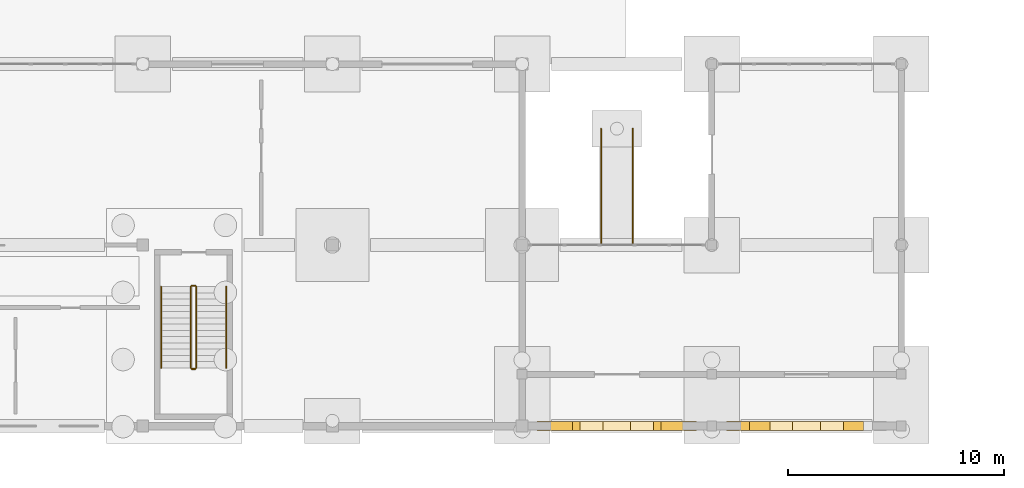
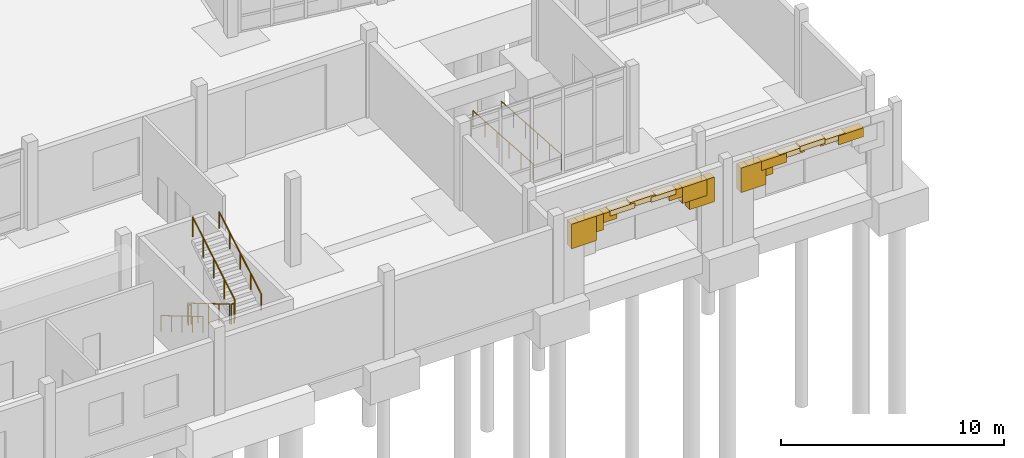
# One storey, part 61 of 72: 16 coverings, 8 railings.
"""IFC4 building model written with IfcOpenShell, lengths in metres."""

import ifcopenshell
import ifcopenshell.guid

model = None  # the IFC model being written
_history = None  # IfcOwnerHistory: only IFC2X3 demands one
_inside = {}  # id of a spatial element -> (the spatial element, [elements in it])
_under = {}  # id of a project, library or spatial element -> (it, [spatial elements below it])
_declared = {}  # id of a project -> (the project, [libraries it declares])
_typed = {}  # id of a type object -> (the type object, [elements of that type])
_made_of = {}  # id of a material, layer set ... -> (it, [elements and type objects made of it])


def new_model(schema):
    """Start an empty IFC model of exactly this schema.

    Asked for "IFC4X3", IfcOpenShell would pick the latest addendum, in which some entities
    have other attributes; the version numbers below select the first issue.
    IFC2X3 requires an IfcOwnerHistory on every rooted entity: one is made here for all.
    """
    global model, _history
    if schema == "IFC4X3":
        model = ifcopenshell.file(schema_version=(4, 3, 0, 0))
    else:
        model = ifcopenshell.file(schema=schema)
    _inside.clear()
    _under.clear()
    _declared.clear()
    _typed.clear()
    _made_of.clear()
    _history = None
    if model.schema == "IFC2X3":
        org = make("IfcOrganization", Name="unknown")
        user = make(
            "IfcPersonAndOrganization",
            ThePerson=make("IfcPerson", FamilyName="unknown"),
            TheOrganization=org,
        )
        app = make(
            "IfcApplication",
            ApplicationDeveloper=org,
            Version="unknown",
            ApplicationFullName="unknown",
            ApplicationIdentifier="unknown",
        )
        _history = make(
            "IfcOwnerHistory",
            OwningUser=user,
            OwningApplication=app,
            ChangeAction="ADDED",
            CreationDate=0,
        )
    return model


def make(cls, **values):
    """One entity of the class cls with the attributes given. An attribute that is None is left unset."""
    return model.create_entity(
        cls, **{name: value for name, value in values.items() if value is not None}
    )


def rooted(cls, **values):
    """An entity with a GlobalId (a new one), such as an element, a storey or a relation."""
    return make(cls, GlobalId=ifcopenshell.guid.new(), OwnerHistory=_history, **values)


def si_unit(unit_type, name, prefix=None):
    """IfcSIUnit, for example si_unit("LENGTHUNIT", "METRE", prefix="MILLI")."""
    return make("IfcSIUnit", UnitType=unit_type, Prefix=prefix, Name=name)


def assignment(units):
    """IfcUnitAssignment: the units of a project."""
    return None if units is None else make("IfcUnitAssignment", Units=units)


def point(xyz):
    """IfcCartesianPoint."""
    return None if xyz is None else make("IfcCartesianPoint", Coordinates=xyz)


def direction(xyz):
    """IfcDirection."""
    return None if xyz is None else make("IfcDirection", DirectionRatios=xyz)


def frame(location, z_axis=None, x_axis=None):
    """IfcAxis2Placement3D, a coordinate frame: its origin and axes. An axis left out is left unset."""
    return make(
        "IfcAxis2Placement3D",
        Location=point(location),
        Axis=direction(z_axis),
        RefDirection=direction(x_axis),
    )


def frame_2d(location, x_axis=None):
    """IfcAxis2Placement2D, a coordinate frame in the plane: its origin and x axis."""
    return make(
        "IfcAxis2Placement2D", Location=point(location), RefDirection=direction(x_axis)
    )


def origin():
    """The frame at (0, 0, 0) with its axes left unset."""
    return frame((0.0, 0.0, 0.0))


def origin_2d():
    """The frame at (0, 0) in the plane with its x axis left unset."""
    return frame_2d((0.0, 0.0))


def place(relative_to, where):
    """IfcLocalPlacement: puts the frame where relative to a parent placement (None: the world)."""
    return make(
        "IfcLocalPlacement", PlacementRelTo=relative_to, RelativePlacement=where
    )


def context(
    kind, dimensions, precision=None, world=None, true_north=None, identifier=None
):
    """IfcGeometricRepresentationContext, for example the 3D "Model" context."""
    return make(
        "IfcGeometricRepresentationContext",
        ContextIdentifier=identifier,
        ContextType=kind,
        CoordinateSpaceDimension=dimensions,
        Precision=precision,
        WorldCoordinateSystem=world,
        TrueNorth=true_north,
    )


def subcontext(parent, identifier, kind, view, scale=None):
    """IfcGeometricRepresentationSubContext, for example "Body" below "Model"."""
    return make(
        "IfcGeometricRepresentationSubContext",
        ContextIdentifier=identifier,
        ContextType=kind,
        ParentContext=parent,
        TargetScale=scale,
        TargetView=view,
    )


def project(units=None, contexts=None):
    """IfcProject with its units and contexts."""
    return rooted(
        "IfcProject",
        Name="project",
        RepresentationContexts=contexts,
        UnitsInContext=assignment(units),
    )


def spatial(cls, under=None, at=None, **own):
    """A site, building, storey or space (cls), placed at a placement, below another one or the project."""
    s = rooted(cls, ObjectPlacement=at, **own)
    if under is not None:
        _under.setdefault(under.id(), (under, []))[1].append(s)
    return s


def profile(cls, at=None, kind="AREA", **sizes):
    """A parametric profile (cls). Its sizes go by their IFC names, for example OverallWidth=200.0."""
    return make(cls, ProfileType=kind, Position=at, **sizes)


def rectangle(**sizes):
    """IfcRectangleProfileDef."""
    return profile("IfcRectangleProfileDef", **sizes)


def circle(**sizes):
    """IfcCircleProfileDef."""
    return profile("IfcCircleProfileDef", **sizes)


def extrude(swept, where, along, depth):
    """IfcExtrudedAreaSolid: the profile swept, set in the frame where, extruded along a direction by depth."""
    return make(
        "IfcExtrudedAreaSolid",
        SweptArea=swept,
        Position=where,
        ExtrudedDirection=direction(along),
        Depth=depth,
    )


def shape(context_of_items, identifier, shape_type, items):
    """IfcShapeRepresentation: the items that make up one representation, for example the "Body"."""
    return make(
        "IfcShapeRepresentation",
        ContextOfItems=context_of_items,
        RepresentationIdentifier=identifier,
        RepresentationType=shape_type,
        Items=items,
    )


def material(Name=None, Category=None):
    """IfcMaterial."""
    return make("IfcMaterial", Name=Name, Category=Category)


def layer(
    of_material, thickness, ventilated=None, Name=None, Category=None, Priority=None
):
    """IfcMaterialLayer: one layer of a wall or slab, of a material (None: an air gap)."""
    return make(
        "IfcMaterialLayer",
        Material=of_material,
        LayerThickness=thickness,
        IsVentilated=ventilated,
        Name=Name,
        Category=Category,
        Priority=Priority,
    )


def layer_set(layers, Name=None):
    """IfcMaterialLayerSet."""
    return make("IfcMaterialLayerSet", MaterialLayers=layers, LayerSetName=Name)


def made_of(thing, what):
    """Note that an element or type object is made of a material, layer set ...; save() writes the relation."""
    if what is not None:
        _made_of.setdefault(what.id(), (what, []))[1].append(thing)
    return thing


def type_object(cls, material=None, **own):
    """A type object (cls), such as IfcWallType, which elements share."""
    return made_of(rooted(cls, **own), material)


def element(
    cls,
    number,
    at=None,
    inside=None,
    cuts=None,
    type_object=None,
    material=None,
    context=None,
    identifier="Body",
    shape_type=None,
    held_by="IfcProductDefinitionShape",
    body=None,
    shapes=None,
    **own,
):
    """One element of the class cls, such as IfcWall. Its Tag is "e" and its number.

    at: its placement. inside: the storey or other place that contains it. cuts: it is an
    opening in that element (IfcRelVoidsElement). A single representation is given by context,
    identifier, shape_type and body (its items); several are given by shapes. held_by: the class
    of the entity that holds the representations. save() writes the other relations.
    """
    e = rooted(cls, Tag="e%d" % number, ObjectPlacement=at, **own)
    if body is not None:
        shapes = [shape(context, identifier, shape_type, body)]
    if shapes is not None:
        e.Representation = make(held_by, Representations=shapes)
    if inside is not None:
        _inside.setdefault(inside.id(), (inside, []))[1].append(e)
    if cuts is not None:
        rooted(
            "IfcRelVoidsElement", RelatingBuildingElement=cuts, RelatedOpeningElement=e
        )
    if type_object is not None:
        _typed.setdefault(type_object.id(), (type_object, []))[1].append(e)
    return made_of(e, material)


def aggregate(whole, parts):
    """IfcRelAggregates: a whole, such as a stair, and the parts it consists of."""
    return rooted("IfcRelAggregates", RelatingObject=whole, RelatedObjects=parts)


def save(model, path):
    """Write the relations noted so far, then the file.

    IfcRelAggregates (storeys below a building ...), IfcRelContainedInSpatialStructure (elements
    in a storey), IfcRelDefinesByType, IfcRelAssociatesMaterial and IfcRelDeclares: one each for
    every whole, place, type object, material and project.
    """
    for whole, parts in _under.values():
        aggregate(whole, parts)
    for where, things in _inside.values():
        rooted(
            "IfcRelContainedInSpatialStructure",
            RelatedElements=things,
            RelatingStructure=where,
        )
    for kind, things in _typed.values():
        rooted("IfcRelDefinesByType", RelatedObjects=things, RelatingType=kind)
    for what, things in _made_of.values():
        rooted("IfcRelAssociatesMaterial", RelatedObjects=things, RelatingMaterial=what)
    for by, libraries in _declared.values():
        rooted("IfcRelDeclares", RelatingContext=by, RelatedDefinitions=libraries)
    model.write(path)


model = new_model("IFC4")

# Units and contexts
model_context = context("Model", 3, precision=1e-05, world=origin(), true_north=direction((0.0, 1.0)))
body_context = subcontext(model_context, "Body", "Model", "MODEL_VIEW")
ifc_project = project(units=[si_unit("LENGTHUNIT", "METRE"), si_unit("AREAUNIT", "SQUARE_METRE"), si_unit("VOLUMEUNIT", "CUBIC_METRE"), si_unit("PLANEANGLEUNIT", "RADIAN"), si_unit("MASSUNIT", "GRAM", prefix="KILO")], contexts=[model_context])

# Site, building, storey
site_placement = place(None, origin())
site = spatial("IfcSite", under=ifc_project, at=site_placement, CompositionType="ELEMENT")
building_placement = place(site_placement, origin())
building = spatial("IfcBuilding", under=site, at=building_placement, Name="Cinderway Yard Community Centre", CompositionType="ELEMENT")
storey_placement = place(building_placement, origin())
storey = spatial("IfcBuildingStorey", under=building, at=storey_placement, Name="L00", CompositionType="ELEMENT", Elevation=0.0)

# Coverings
ifc_material_1 = material(Name="Brick Masonry", Category="masonry")
ifc_layer = layer(ifc_material_1, 0.18994140625, Name="Brick Masonry")
ifc_layer_set = layer_set([ifc_layer], Name="Brick Masonry")
covering_type = type_object("IfcCoveringType", Name="ENV-COV-BRK-SCREEN", PredefinedType="CLADDING", material=ifc_layer_set)
covering_1_placement = place(storey_placement, frame((120.537109375, 6.0, 2.64794921875), z_axis=(0.0, 0.0, 1.0), x_axis=(1.0, 0.0, 0.0)))
element("IfcCovering", 1, at=covering_1_placement, inside=storey, type_object=covering_type, Name="East Storm Arcade West Niche Arch Voussoir 2.1", PredefinedType="CLADDING", context=body_context, shape_type="SweptSolid", body=[
    extrude(rectangle(XDim=1.281005859375, YDim=0.419921875, at=origin_2d()), origin(), (0.0, 0.0, 1.0), 1.342041015625),
])
covering_2_placement = place(storey_placement, frame((120.906982421875, 6.0, 3.115478515625), z_axis=(0.0, 0.0, 1.0), x_axis=(1.0, 0.0, 0.0)))
element("IfcCovering", 2, at=covering_2_placement, inside=storey, type_object=covering_type, Name="East Storm Arcade West Niche Arch Voussoir 2.2", PredefinedType="CLADDING", context=body_context, shape_type="SweptSolid", body=[
    extrude(rectangle(XDim=1.281005859375, YDim=0.419921875, at=origin_2d()), origin(), (0.0, 0.0, 1.0), 0.875),
])
covering_3_placement = place(storey_placement, frame((121.60107421875, 6.0, 3.495361328125), z_axis=(0.0, 0.0, 1.0), x_axis=(1.0, 0.0, 0.0)))
element("IfcCovering", 3, at=covering_3_placement, inside=storey, type_object=covering_type, Name="East Storm Arcade West Niche Arch Voussoir 2.3", PredefinedType="CLADDING", context=body_context, shape_type="SweptSolid", body=[
    extrude(rectangle(XDim=1.281005859375, YDim=0.419921875, at=origin_2d()), origin(), (0.0, 0.0, 1.0), 0.4951171875),
])
for number, where, z_axis, x_axis, name in (
    (4, (122.535888671875, 6.0, 3.744140625), (0.0, 0.0, 1.0), (1.0, 0.0, 0.0), "East Storm Arcade West Niche Arch Voussoir 2.4"),
    (5, (123.60009765625, 6.0, 3.830078125), (0.0, 0.0, 1.0), (1.0, 0.0, 0.0), "East Storm Arcade West Niche Arch Voussoir 2.5"),
    (6, (124.6640625, 6.0, 3.744140625), (0.0, 0.0, 1.0), (1.0, 0.0, 0.0), "East Storm Arcade West Niche Arch Voussoir 2.6"),
):
    element("IfcCovering", number, at=place(storey_placement, frame(where, z_axis=z_axis, x_axis=x_axis)), inside=storey, type_object=covering_type, Name=name, PredefinedType="CLADDING", context=body_context, shape_type="SweptSolid", body=[
        extrude(rectangle(XDim=1.281005859375, YDim=0.419921875, at=origin_2d()), origin(), (0.0, 0.0, 1.0), 0.280029296875),
    ])
covering_4_placement = place(storey_placement, frame((125.59912109375, 6.0, 3.495361328125), z_axis=(0.0, 0.0, 1.0), x_axis=(1.0, 0.0, 0.0)))
element("IfcCovering", 7, at=covering_4_placement, inside=storey, type_object=covering_type, Name="East Storm Arcade West Niche Arch Voussoir 2.7", PredefinedType="CLADDING", context=body_context, shape_type="SweptSolid", body=[
    extrude(rectangle(XDim=1.281005859375, YDim=0.419921875, at=origin_2d()), origin(), (0.0, 0.0, 1.0), 0.4951171875),
])
covering_5_placement = place(storey_placement, frame((126.29296875, 6.0, 3.115478515625), z_axis=(0.0, 0.0, 1.0), x_axis=(1.0, 0.0, 0.0)))
element("IfcCovering", 8, at=covering_5_placement, inside=storey, type_object=covering_type, Name="East Storm Arcade West Niche Arch Voussoir 2.8", PredefinedType="CLADDING", context=body_context, shape_type="SweptSolid", body=[
    extrude(rectangle(XDim=1.281005859375, YDim=0.419921875, at=origin_2d()), origin(), (0.0, 0.0, 1.0), 0.875),
])
for number, where, z_axis, x_axis, name in (
    (9, (126.6630859375, 6.0, 2.64794921875), (0.0, 0.0, 1.0), (1.0, 0.0, 0.0), "East Storm Arcade West Niche Arch Voussoir 2.9"),
    (10, (129.3369140625, 6.0, 2.64794921875), (0.0, 0.0, 1.0), (1.0, 0.0, 0.0), "East Storm Arcade East Niche Arch Voussoir 3.1"),
):
    element("IfcCovering", number, at=place(storey_placement, frame(where, z_axis=z_axis, x_axis=x_axis)), inside=storey, type_object=covering_type, Name=name, PredefinedType="CLADDING", context=body_context, shape_type="SweptSolid", body=[
        extrude(rectangle(XDim=1.281005859375, YDim=0.419921875, at=origin_2d()), origin(), (0.0, 0.0, 1.0), 1.342041015625),
    ])
covering_6_placement = place(storey_placement, frame((129.70703125, 6.0, 3.115478515625), z_axis=(0.0, 0.0, 1.0), x_axis=(1.0, 0.0, 0.0)))
element("IfcCovering", 11, at=covering_6_placement, inside=storey, type_object=covering_type, Name="East Storm Arcade East Niche Arch Voussoir 3.2", PredefinedType="CLADDING", context=body_context, shape_type="SweptSolid", body=[
    extrude(rectangle(XDim=1.281005859375, YDim=0.419921875, at=origin_2d()), origin(), (0.0, 0.0, 1.0), 0.875),
])
covering_7_placement = place(storey_placement, frame((130.40087890625, 6.0, 3.495361328125), z_axis=(0.0, 0.0, 1.0), x_axis=(1.0, 0.0, 0.0)))
element("IfcCovering", 12, at=covering_7_placement, inside=storey, type_object=covering_type, Name="East Storm Arcade East Niche Arch Voussoir 3.3", PredefinedType="CLADDING", context=body_context, shape_type="SweptSolid", body=[
    extrude(rectangle(XDim=1.281005859375, YDim=0.419921875, at=origin_2d()), origin(), (0.0, 0.0, 1.0), 0.4951171875),
])
for number, where, z_axis, x_axis, name in (
    (13, (131.3359375, 6.0, 3.744140625), (0.0, 0.0, 1.0), (1.0, 0.0, 0.0), "East Storm Arcade East Niche Arch Voussoir 3.4"),
    (14, (132.39990234375, 6.0, 3.830078125), (0.0, 0.0, 1.0), (1.0, 0.0, 0.0), "East Storm Arcade East Niche Arch Voussoir 3.5"),
    (15, (133.464111328125, 6.0, 3.744140625), (0.0, 0.0, 1.0), (1.0, 0.0, 0.0), "East Storm Arcade East Niche Arch Voussoir 3.6"),
):
    element("IfcCovering", number, at=place(storey_placement, frame(where, z_axis=z_axis, x_axis=x_axis)), inside=storey, type_object=covering_type, Name=name, PredefinedType="CLADDING", context=body_context, shape_type="SweptSolid", body=[
        extrude(rectangle(XDim=1.281005859375, YDim=0.419921875, at=origin_2d()), origin(), (0.0, 0.0, 1.0), 0.280029296875),
    ])
covering_8_placement = place(storey_placement, frame((134.39892578125, 6.0, 3.495361328125), z_axis=(0.0, 0.0, 1.0), x_axis=(1.0, 0.0, 0.0)))
element("IfcCovering", 16, at=covering_8_placement, inside=storey, type_object=covering_type, Name="East Storm Arcade East Niche Arch Voussoir 3.7", PredefinedType="CLADDING", context=body_context, shape_type="SweptSolid", body=[
    extrude(rectangle(XDim=1.281005859375, YDim=0.419921875, at=origin_2d()), origin(), (0.0, 0.0, 1.0), 0.4951171875),
])

# Railings
ifc_material_2 = material(Name="Painted Galvanised Steel", Category="steel")
railing_type_1 = type_object("IfcRailingType", Name="INT-RAL-GRD112", PredefinedType="GUARDRAIL", material=ifc_material_2)
railing_1_placement = place(storey_placement, frame((103.830078125, 12.469970703125, 0.17138671875)))
element("IfcRailing", 17, at=railing_1_placement, inside=storey, type_object=railing_type_1, Name="L00 ST-10 stair guard 1", PredefinedType="GUARDRAIL", context=body_context, shape_type="SweptSolid", body=[
    extrude(circle(Radius=0.02392578125, at=origin_2d()), frame((0.0, 0.0, 1.076171875), z_axis=(0.0, -0.860848830602, 0.508860777473), x_axis=(1.0, 0.0, 0.0)), (0.0, 0.0, 1.0), 4.37939453125),
    extrude(circle(Radius=0.02099609375, at=origin_2d()), origin(), (0.0, 0.0, 1.0), 1.052001953125),
    extrude(circle(Radius=0.02099609375, at=origin_2d()), frame((0.0, -0.9423828125, 0.55712890625)), (0.0, 0.0, 1.0), 1.052001953125),
    extrude(circle(Radius=0.02099609375, at=origin_2d()), frame((0.0, -1.885009765625, 1.1142578125)), (0.0, 0.0, 1.0), 1.052001953125),
    extrude(circle(Radius=0.02099609375, at=origin_2d()), frame((0.0, -2.82763671875, 1.67138671875)), (0.0, 0.0, 1.0), 1.052001953125),
    extrude(circle(Radius=0.02099609375, at=origin_2d()), frame((0.0, -3.77001953125, 2.228515625)), (0.0, 0.0, 1.0), 1.052001953125),
])
railing_2_placement = place(storey_placement, frame((103.8798828125, 8.64990234375, 2.39990234375)))
element("IfcRailing", 18, at=railing_2_placement, inside=storey, type_object=railing_type_1, Name="L00 ST-10 stair guard 2", PredefinedType="GUARDRAIL", context=body_context, shape_type="SweptSolid", body=[
    extrude(circle(Radius=0.02392578125, at=origin_2d()), frame((0.0, 0.0, 1.076171875), z_axis=(1.0, 0.0, 0.0), x_axis=(0.0, 1.0, 0.0)), (0.0, 0.0, 1.0), 0.16015625),
    extrude(circle(Radius=0.02099609375, at=origin_2d()), origin(), (0.0, 0.0, 1.0), 1.052001953125),
    extrude(circle(Radius=0.02099609375, at=origin_2d()), frame((0.16015625, 0.0, 0.0)), (0.0, 0.0, 1.0), 1.052001953125),
])
railing_3_placement = place(storey_placement, frame((104.090087890625, 8.699951171875, 2.571533203125)))
element("IfcRailing", 19, at=railing_3_placement, inside=storey, type_object=railing_type_1, Name="L00 ST-10 stair guard 3", PredefinedType="GUARDRAIL", context=body_context, shape_type="SweptSolid", body=[
    extrude(circle(Radius=0.02392578125, at=origin_2d()), frame((0.0, 0.0, 1.076171875), z_axis=(0.0, 0.860848830602, 0.508860777473), x_axis=(-1.0, 0.0, 0.0)), (0.0, 0.0, 1.0), 4.37939453125),
    extrude(circle(Radius=0.02099609375, at=origin_2d()), origin(), (0.0, 0.0, 1.0), 1.052001953125),
    extrude(circle(Radius=0.02099609375, at=origin_2d()), frame((0.0, 0.9423828125, 0.55712890625)), (0.0, 0.0, 1.0), 1.052001953125),
    extrude(circle(Radius=0.02099609375, at=origin_2d()), frame((0.0, 1.885009765625, 1.1142578125)), (0.0, 0.0, 1.0), 1.052001953125),
    extrude(circle(Radius=0.02099609375, at=origin_2d()), frame((0.0, 2.82763671875, 1.67138671875)), (0.0, 0.0, 1.0), 1.052001953125),
    extrude(circle(Radius=0.02099609375, at=origin_2d()), frame((0.0, 3.77001953125, 2.228515625)), (0.0, 0.0, 1.0), 1.052001953125),
])
railing_4_placement = place(storey_placement, frame((103.8798828125, 12.52001953125, 0.0)))
element("IfcRailing", 20, at=railing_4_placement, inside=storey, type_object=railing_type_1, Name="L00 ST-10 stair guard 4", PredefinedType="GUARDRAIL", context=body_context, shape_type="SweptSolid", body=[
    extrude(circle(Radius=0.02392578125, at=origin_2d()), frame((0.0, 0.0, 1.076171875), z_axis=(1.0, 0.0, 0.0), x_axis=(0.0, 1.0, 0.0)), (0.0, 0.0, 1.0), 0.16015625),
    extrude(circle(Radius=0.02099609375, at=origin_2d()), origin(), (0.0, 0.0, 1.0), 1.052001953125),
    extrude(circle(Radius=0.02099609375, at=origin_2d()), frame((0.16015625, 0.0, 0.0)), (0.0, 0.0, 1.0), 1.052001953125),
])
railing_type_2 = type_object("IfcRailingType", Name="INT-RAL-HND090", PredefinedType="HANDRAIL", material=ifc_material_2)
railing_5_placement = place(storey_placement, frame((102.449951171875, 12.469970703125, 0.17138671875)))
element("IfcRailing", 21, at=railing_5_placement, inside=storey, type_object=railing_type_2, Name="L00 ST-10 stair handrail 1", PredefinedType="HANDRAIL", context=body_context, shape_type="SweptSolid", body=[
    extrude(circle(Radius=0.02392578125, at=origin_2d()), frame((0.0, 0.0, 0.8759765625), z_axis=(0.0, -0.860848830602, 0.508860777473), x_axis=(1.0, 0.0, 0.0)), (0.0, 0.0, 1.0), 4.37939453125),
    extrude(circle(Radius=0.02099609375, at=origin_2d()), origin(), (0.0, 0.0, 1.0), 0.851806640625),
    extrude(circle(Radius=0.02099609375, at=origin_2d()), frame((0.0, -0.9423828125, 0.55712890625)), (0.0, 0.0, 1.0), 0.851806640625),
    extrude(circle(Radius=0.02099609375, at=origin_2d()), frame((0.0, -1.885009765625, 1.1142578125)), (0.0, 0.0, 1.0), 0.851806640625),
    extrude(circle(Radius=0.02099609375, at=origin_2d()), frame((0.0, -2.82763671875, 1.67138671875)), (0.0, 0.0, 1.0), 0.851806640625),
    extrude(circle(Radius=0.02099609375, at=origin_2d()), frame((0.0, -3.77001953125, 2.228515625)), (0.0, 0.0, 1.0), 0.851806640625),
])
railing_6_placement = place(storey_placement, frame((105.469970703125, 8.699951171875, 2.571533203125)))
element("IfcRailing", 22, at=railing_6_placement, inside=storey, type_object=railing_type_2, Name="L00 ST-10 stair handrail 2", PredefinedType="HANDRAIL", context=body_context, shape_type="SweptSolid", body=[
    extrude(circle(Radius=0.02392578125, at=origin_2d()), frame((0.0, 0.0, 0.8759765625), z_axis=(0.0, 0.860848830602, 0.508860777473), x_axis=(-1.0, 0.0, 0.0)), (0.0, 0.0, 1.0), 4.37939453125),
    extrude(circle(Radius=0.02099609375, at=origin_2d()), origin(), (0.0, 0.0, 1.0), 0.851806640625),
    extrude(circle(Radius=0.02099609375, at=origin_2d()), frame((0.0, 0.9423828125, 0.55712890625)), (0.0, 0.0, 1.0), 0.851806640625),
    extrude(circle(Radius=0.02099609375, at=origin_2d()), frame((0.0, 1.885009765625, 1.1142578125)), (0.0, 0.0, 1.0), 0.851806640625),
    extrude(circle(Radius=0.02099609375, at=origin_2d()), frame((0.0, 2.82763671875, 1.67138671875)), (0.0, 0.0, 1.0), 0.851806640625),
    extrude(circle(Radius=0.02099609375, at=origin_2d()), frame((0.0, 3.77001953125, 2.228515625)), (0.0, 0.0, 1.0), 0.851806640625),
])
for number, where, name in (
    (23, (124.3359375, 14.39990234375, 0.179931640625), "East Storm Arcade Courtyard Ramp Handrail L"),
    (24, (122.864013671875, 14.39990234375, 0.179931640625), "East Storm Arcade Courtyard Ramp Handrail R"),
):
    element("IfcRailing", number, at=place(storey_placement, frame(where)), inside=storey, type_object=railing_type_2, Name=name, PredefinedType="HANDRAIL", context=body_context, shape_type="SweptSolid", body=[
        extrude(circle(Radius=0.02392578125, at=origin_2d()), frame((0.0, 0.0, 0.8759765625), z_axis=(0.0, 0.997786953907, -0.066492064291), x_axis=(-1.0, 0.0, 0.0)), (0.0, 0.0, 1.0), 5.412109375),
        extrude(circle(Radius=0.02099609375, at=origin_2d()), origin(), (0.0, 0.0, 1.0), 0.851806640625),
        extrude(circle(Radius=0.02099609375, at=origin_2d()), frame((0.0, 1.080078125, -0.072021484375)), (0.0, 0.0, 1.0), 0.851806640625),
        extrude(circle(Radius=0.02099609375, at=origin_2d()), frame((0.0, 2.16015625, -0.14404296875)), (0.0, 0.0, 1.0), 0.851806640625),
        extrude(circle(Radius=0.02099609375, at=origin_2d()), frame((0.0, 3.239990234375, -0.2158203125)), (0.0, 0.0, 1.0), 0.851806640625),
        extrude(circle(Radius=0.02099609375, at=origin_2d()), frame((0.0, 4.320068359375, -0.287841796875)), (0.0, 0.0, 1.0), 0.851806640625),
        extrude(circle(Radius=0.02099609375, at=origin_2d()), frame((0.0, 5.400146484375, -0.35986328125)), (0.0, 0.0, 1.0), 0.851806640625),
    ])

save(model, "model.ifc")
